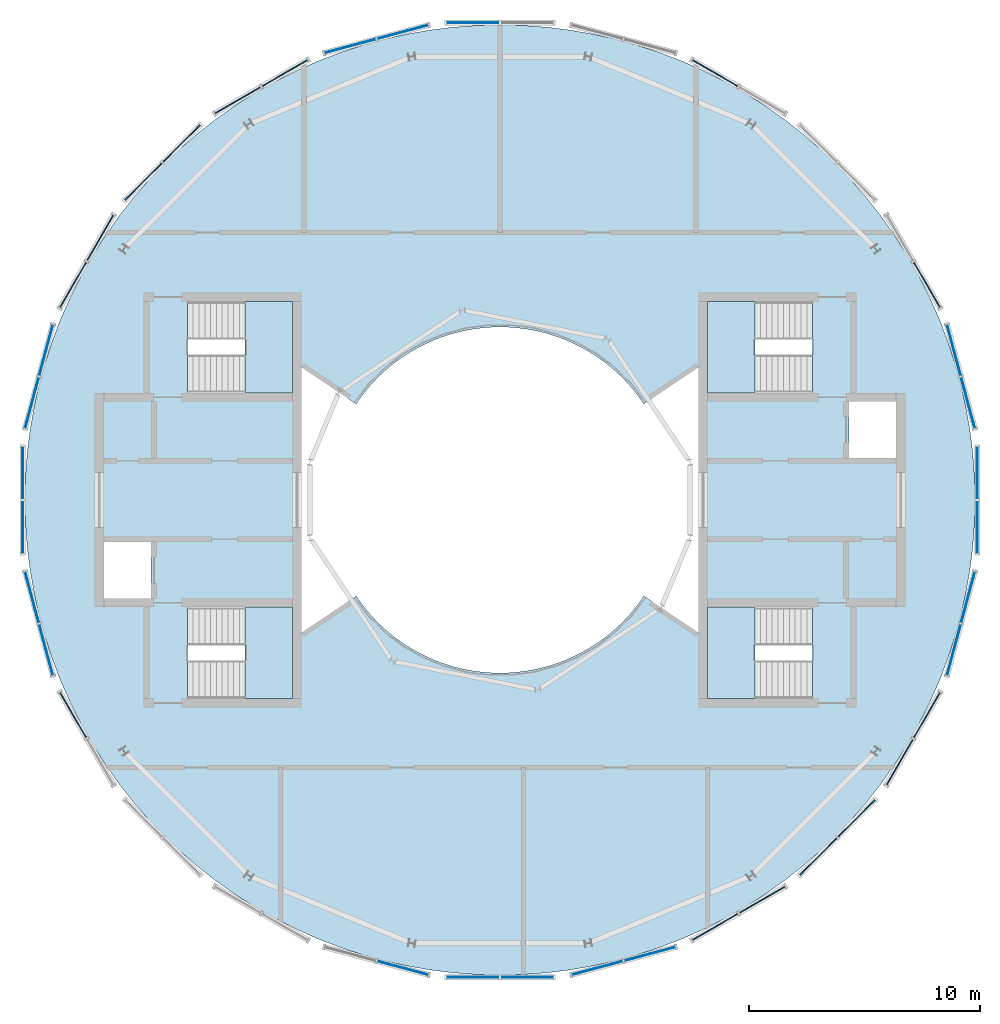
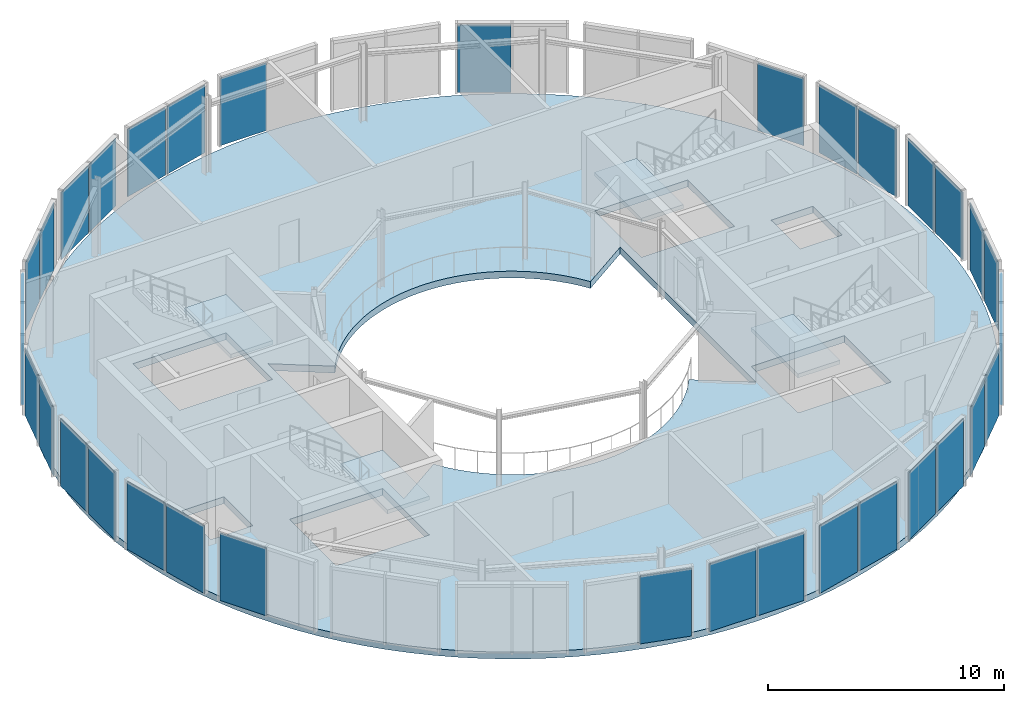
# One storey, part 7 of 12: 35 plates, 5 slabs, 24 elements without a shape of their own.
"""IFC4 building model written with IfcOpenShell, lengths in metres."""

from ifc_helpers import new_model, si_unit, direction, frame, origin, origin_2d, place, context, subcontext, project, spatial, polyline, rectangle, outline, extrude, material, layer, layer_set, type_object, element, aggregate, save


model = new_model("IFC4")

# Units and contexts
model_context = context("Model", 3, precision=1e-05, world=origin(), true_north=direction((0.0, 1.0)))
body_context = subcontext(model_context, "Body", "Model", "MODEL_VIEW")
ifc_project = project(units=[si_unit("LENGTHUNIT", "METRE"), si_unit("AREAUNIT", "SQUARE_METRE"), si_unit("VOLUMEUNIT", "CUBIC_METRE"), si_unit("PLANEANGLEUNIT", "RADIAN"), si_unit("MASSUNIT", "GRAM", prefix="KILO")], contexts=[model_context])

# Site, building, storey
site_placement = place(None, origin())
site = spatial("IfcSite", under=ifc_project, at=site_placement, CompositionType="ELEMENT")
building_placement = place(site_placement, origin())
building = spatial("IfcBuilding", under=site, at=building_placement, Name="Maasbend Ring Residences", CompositionType="ELEMENT")
storey_placement = place(building_placement, frame((0.0, 0.0, 261.5)))
storey = spatial("IfcBuildingStorey", under=building, at=storey_placement, Name="L75", CompositionType="ELEMENT", Elevation=261.5)

# Stair, slab
ifc_material_1 = material(Name="Concrete C40/50", Category="concrete")
stair_type = type_object("IfcStairType", Name="CORE STAIR 22 RISERS", PredefinedType="HALF_TURN_STAIR", material=ifc_material_1)
stair_1_placement = place(storey_placement, origin())
stair_1 = element("IfcStair", 1, at=stair_1_placement, inside=storey, type_object=stair_type, Name="L75 Exit stair ST-E1", PredefinedType="HALF_TURN_STAIR")
ifc_material_2 = material(Name="Concrete C40/50", Category="concrete")
ifc_layer_1 = layer(ifc_material_2, 0.199951171875)
ifc_layer_set_1 = layer_set([ifc_layer_1], Name="Concrete C40/50")
slab_type_1 = type_object("IfcSlabType", Name="CORE STAIR LANDING 200", PredefinedType="LANDING", material=ifc_layer_set_1)
slab_1_placement = place(storey_placement, frame((0.0, 0.0, 1.800048828125)))
slab_1 = element("IfcSlab", 2, at=slab_1_placement, type_object=slab_type_1, Name="ST-E1 landing 1", PredefinedType="LANDING", context=body_context, shape_type="SweptSolid", body=[
    extrude(outline(polyline([(11.050048828125, 8.60009765625), (9.0, 8.60009765625), (9.0, 4.64990234375), (11.050048828125, 4.64990234375), (11.050048828125, 8.60009765625)])), origin(), (0.0, 0.0, 1.0), 0.199951171875),
])
aggregate(stair_1, [slab_1])

stair_2_placement = place(storey_placement, origin())
stair_2 = element("IfcStair", 3, at=stair_2_placement, inside=storey, type_object=stair_type, Name="L75 Exit stair ST-E2", PredefinedType="HALF_TURN_STAIR")
slab_2_placement = place(storey_placement, frame((0.0, 0.0, 1.800048828125)))
slab_2 = element("IfcSlab", 4, at=slab_2_placement, type_object=slab_type_1, Name="ST-E2 landing 1", PredefinedType="LANDING", context=body_context, shape_type="SweptSolid", body=[
    extrude(outline(polyline([(11.050048828125, -4.64990234375), (9.0, -4.64990234375), (9.0, -8.60009765625), (11.050048828125, -8.60009765625), (11.050048828125, -4.64990234375)])), origin(), (0.0, 0.0, 1.0), 0.199951171875),
])
aggregate(stair_2, [slab_2])

stair_3_placement = place(storey_placement, origin())
stair_3 = element("IfcStair", 5, at=stair_3_placement, inside=storey, type_object=stair_type, Name="L75 Exit stair ST-W1", PredefinedType="HALF_TURN_STAIR")
slab_3_placement = place(storey_placement, frame((0.0, 0.0, 1.800048828125)))
slab_3 = element("IfcSlab", 6, at=slab_3_placement, type_object=slab_type_1, Name="ST-W1 landing 1", PredefinedType="LANDING", context=body_context, shape_type="SweptSolid", body=[
    extrude(outline(polyline([(-11.050048828125, -8.60009765625), (-9.0, -8.60009765625), (-9.0, -4.64990234375), (-11.050048828125, -4.64990234375), (-11.050048828125, -8.60009765625)])), origin(), (0.0, 0.0, 1.0), 0.199951171875),
])
aggregate(stair_3, [slab_3])

stair_4_placement = place(storey_placement, origin())
stair_4 = element("IfcStair", 7, at=stair_4_placement, inside=storey, type_object=stair_type, Name="L75 Exit stair ST-W2", PredefinedType="HALF_TURN_STAIR")
slab_4_placement = place(storey_placement, frame((0.0, 0.0, 1.800048828125)))
slab_4 = element("IfcSlab", 8, at=slab_4_placement, type_object=slab_type_1, Name="ST-W2 landing 1", PredefinedType="LANDING", context=body_context, shape_type="SweptSolid", body=[
    extrude(outline(polyline([(-11.050048828125, 4.64990234375), (-9.0, 4.64990234375), (-9.0, 8.60009765625), (-11.050048828125, 8.60009765625), (-11.050048828125, 4.64990234375)])), origin(), (0.0, 0.0, 1.0), 0.199951171875),
])
aggregate(stair_4, [slab_4])

# Curtain wall, plates
ifc_material_3 = material(Name="Aluminium and clear glass", Category="aluminium")
ifc_layer_2 = layer(ifc_material_3, 0.239990234375)
ifc_layer_set_2 = layer_set([ifc_layer_2], Name="CW-CN")
curtain_wall_type = type_object("IfcCurtainWallType", Name="CW-CN", PredefinedType="NOTDEFINED", material=ifc_layer_set_2)
curtain_wall_1_placement = place(storey_placement, origin())
curtain_wall_1 = element("IfcCurtainWall", 9, at=curtain_wall_1_placement, inside=storey, type_object=curtain_wall_type, Name="Crown drum glazing 01 L75", PredefinedType="NOTDEFINED")
ifc_material_4 = material(Name="Glass clear laminated", Category="glass")
ifc_layer_3 = layer(ifc_material_4, 0.0400390625)
ifc_layer_set_3 = layer_set([ifc_layer_3], Name="CWP-CN")
plate_type = type_object("IfcPlateType", Name="CWP-CN", PredefinedType="CURTAIN_PANEL", material=ifc_layer_set_3)
plate_1_placement = place(storey_placement, frame((20.291748046875, 4.216064453125, 0.0), z_axis=(0.0, 0.0, 1.0), x_axis=(-0.258819045103, 0.965925826289, 0.0)))
plate_1 = element("IfcPlate", 10, at=plate_1_placement, type_object=plate_type, Name="Glass panel crown cone", PredefinedType="CURTAIN_PANEL", context=body_context, shape_type="SweptSolid", body=[
    extrude(rectangle(XDim=2.26904296875, YDim=0.0400390625, at=origin_2d()), origin(), (0.0, 0.0, 1.0), 3.489990234375),
])
plate_2_placement = place(storey_placement, frame((19.68115234375, 6.49462890625, 0.0), z_axis=(0.0, 0.0, 1.0), x_axis=(-0.258819045103, 0.965925826289, 0.0)))
plate_2 = element("IfcPlate", 11, at=plate_2_placement, type_object=plate_type, Name="Glass panel crown cone", PredefinedType="CURTAIN_PANEL", context=body_context, shape_type="SweptSolid", body=[
    extrude(rectangle(XDim=2.26904296875, YDim=0.0400390625, at=origin_2d()), origin(), (0.0, 0.0, 1.0), 3.489990234375),
])
aggregate(curtain_wall_1, [plate_1, plate_2])

# Curtain wall, plate
curtain_wall_2_placement = place(storey_placement, origin())
curtain_wall_2 = element("IfcCurtainWall", 12, at=curtain_wall_2_placement, inside=storey, type_object=curtain_wall_type, Name="Crown drum glazing 02 L75", PredefinedType="NOTDEFINED")
plate_3_placement = place(storey_placement, frame((18.509033203125, 9.32421875, 0.0), z_axis=(0.0, 0.0, 1.0), x_axis=(-0.5, 0.866025403784, 0.0)))
plate_3 = element("IfcPlate", 13, at=plate_3_placement, type_object=plate_type, Name="Glass panel crown cone", PredefinedType="CURTAIN_PANEL", context=body_context, shape_type="SweptSolid", body=[
    extrude(rectangle(XDim=2.26904296875, YDim=0.0400390625, at=origin_2d()), origin(), (0.0, 0.0, 1.0), 3.489990234375),
])
aggregate(curtain_wall_2, [plate_3])

curtain_wall_3_placement = place(storey_placement, origin())
curtain_wall_3 = element("IfcCurtainWall", 14, at=curtain_wall_3_placement, inside=storey, type_object=curtain_wall_type, Name="Crown drum glazing 04 L75", PredefinedType="NOTDEFINED")
plate_4_placement = place(storey_placement, frame((9.32421875, 18.509033203125, 0.0), z_axis=(0.0, 0.0, 1.0), x_axis=(-0.866025403784, 0.5, 0.0)))
plate_4 = element("IfcPlate", 15, at=plate_4_placement, type_object=plate_type, Name="Glass panel crown cone", PredefinedType="CURTAIN_PANEL", context=body_context, shape_type="SweptSolid", body=[
    extrude(rectangle(XDim=2.26904296875, YDim=0.0400390625, at=origin_2d()), origin(), (0.0, 0.0, 1.0), 3.489990234375),
])
aggregate(curtain_wall_3, [plate_4])

curtain_wall_4_placement = place(storey_placement, origin())
curtain_wall_4 = element("IfcCurtainWall", 16, at=curtain_wall_4_placement, inside=storey, type_object=curtain_wall_type, Name="Crown drum glazing 06 L75", PredefinedType="NOTDEFINED")
plate_5_placement = place(storey_placement, frame((-1.179443359375, 20.69140625, 0.0), z_axis=(0.0, 0.0, 1.0), x_axis=(-1.0, 0.0, 0.0)))
plate_5 = element("IfcPlate", 17, at=plate_5_placement, type_object=plate_type, Name="Glass panel crown cone", PredefinedType="CURTAIN_PANEL", context=body_context, shape_type="SweptSolid", body=[
    extrude(rectangle(XDim=2.26904296875, YDim=0.0400390625, at=origin_2d()), origin(), (0.0, 0.0, 1.0), 3.489990234375),
])
aggregate(curtain_wall_4, [plate_5])

# Curtain wall, plates
curtain_wall_5_placement = place(storey_placement, origin())
curtain_wall_5 = element("IfcCurtainWall", 18, at=curtain_wall_5_placement, inside=storey, type_object=curtain_wall_type, Name="Crown drum glazing 07 L75", PredefinedType="NOTDEFINED")
plate_6_placement = place(storey_placement, frame((-4.216064453125, 20.291748046875, 0.0), z_axis=(0.0, 0.0, 1.0), x_axis=(-0.965925826289, -0.258819045103, 0.0)))
plate_6 = element("IfcPlate", 19, at=plate_6_placement, type_object=plate_type, Name="Glass panel crown cone", PredefinedType="CURTAIN_PANEL", context=body_context, shape_type="SweptSolid", body=[
    extrude(rectangle(XDim=2.26904296875, YDim=0.0400390625, at=origin_2d()), origin(), (0.0, 0.0, 1.0), 3.489990234375),
])
plate_7_placement = place(storey_placement, frame((-6.49462890625, 19.68115234375, 0.0), z_axis=(0.0, 0.0, 1.0), x_axis=(-0.965925826289, -0.258819045103, 0.0)))
plate_7 = element("IfcPlate", 20, at=plate_7_placement, type_object=plate_type, Name="Glass panel crown cone", PredefinedType="CURTAIN_PANEL", context=body_context, shape_type="SweptSolid", body=[
    extrude(rectangle(XDim=2.26904296875, YDim=0.0400390625, at=origin_2d()), origin(), (0.0, 0.0, 1.0), 3.489990234375),
])
aggregate(curtain_wall_5, [plate_6, plate_7])

curtain_wall_6_placement = place(storey_placement, origin())
curtain_wall_6 = element("IfcCurtainWall", 21, at=curtain_wall_6_placement, inside=storey, type_object=curtain_wall_type, Name="Crown drum glazing 08 L75", PredefinedType="NOTDEFINED")
plate_8_placement = place(storey_placement, frame((-9.32421875, 18.509033203125, 0.0), z_axis=(0.0, 0.0, 1.0), x_axis=(-0.866025403784, -0.5, 0.0)))
plate_8 = element("IfcPlate", 22, at=plate_8_placement, type_object=plate_type, Name="Glass panel crown cone", PredefinedType="CURTAIN_PANEL", context=body_context, shape_type="SweptSolid", body=[
    extrude(rectangle(XDim=2.26904296875, YDim=0.0400390625, at=origin_2d()), origin(), (0.0, 0.0, 1.0), 3.489990234375),
])
plate_9_placement = place(storey_placement, frame((-11.3671875, 17.32958984375, 0.0), z_axis=(0.0, 0.0, 1.0), x_axis=(-0.866025403784, -0.5, 0.0)))
plate_9 = element("IfcPlate", 23, at=plate_9_placement, type_object=plate_type, Name="Glass panel crown cone", PredefinedType="CURTAIN_PANEL", context=body_context, shape_type="SweptSolid", body=[
    extrude(rectangle(XDim=2.26904296875, YDim=0.0400390625, at=origin_2d()), origin(), (0.0, 0.0, 1.0), 3.489990234375),
])
aggregate(curtain_wall_6, [plate_8, plate_9])

curtain_wall_7_placement = place(storey_placement, origin())
curtain_wall_7 = element("IfcCurtainWall", 24, at=curtain_wall_7_placement, inside=storey, type_object=curtain_wall_type, Name="Crown drum glazing 09 L75", PredefinedType="NOTDEFINED")
plate_10_placement = place(storey_placement, frame((-13.797119140625, 15.465087890625, 0.0), z_axis=(0.0, 0.0, 1.0), x_axis=(-0.707106781187, -0.707106781187, 0.0)))
plate_10 = element("IfcPlate", 25, at=plate_10_placement, type_object=plate_type, Name="Glass panel crown cone", PredefinedType="CURTAIN_PANEL", context=body_context, shape_type="SweptSolid", body=[
    extrude(rectangle(XDim=2.26904296875, YDim=0.0400390625, at=origin_2d()), origin(), (0.0, 0.0, 1.0), 3.489990234375),
])
plate_11_placement = place(storey_placement, frame((-15.465087890625, 13.797119140625, 0.0), z_axis=(0.0, 0.0, 1.0), x_axis=(-0.707106781187, -0.707106781187, 0.0)))
plate_11 = element("IfcPlate", 26, at=plate_11_placement, type_object=plate_type, Name="Glass panel crown cone", PredefinedType="CURTAIN_PANEL", context=body_context, shape_type="SweptSolid", body=[
    extrude(rectangle(XDim=2.26904296875, YDim=0.0400390625, at=origin_2d()), origin(), (0.0, 0.0, 1.0), 3.489990234375),
])
aggregate(curtain_wall_7, [plate_10, plate_11])

curtain_wall_8_placement = place(storey_placement, origin())
curtain_wall_8 = element("IfcCurtainWall", 27, at=curtain_wall_8_placement, inside=storey, type_object=curtain_wall_type, Name="Crown drum glazing 10 L75", PredefinedType="NOTDEFINED")
plate_12_placement = place(storey_placement, frame((-17.32958984375, 11.3671875, 0.0), z_axis=(0.0, 0.0, 1.0), x_axis=(-0.5, -0.866025403784, 0.0)))
plate_12 = element("IfcPlate", 28, at=plate_12_placement, type_object=plate_type, Name="Glass panel crown cone", PredefinedType="CURTAIN_PANEL", context=body_context, shape_type="SweptSolid", body=[
    extrude(rectangle(XDim=2.26904296875, YDim=0.0400390625, at=origin_2d()), origin(), (0.0, 0.0, 1.0), 3.489990234375),
])
plate_13_placement = place(storey_placement, frame((-18.509033203125, 9.32421875, 0.0), z_axis=(0.0, 0.0, 1.0), x_axis=(-0.5, -0.866025403784, 0.0)))
plate_13 = element("IfcPlate", 29, at=plate_13_placement, type_object=plate_type, Name="Glass panel crown cone", PredefinedType="CURTAIN_PANEL", context=body_context, shape_type="SweptSolid", body=[
    extrude(rectangle(XDim=2.26904296875, YDim=0.0400390625, at=origin_2d()), origin(), (0.0, 0.0, 1.0), 3.489990234375),
])
aggregate(curtain_wall_8, [plate_12, plate_13])

curtain_wall_9_placement = place(storey_placement, origin())
curtain_wall_9 = element("IfcCurtainWall", 30, at=curtain_wall_9_placement, inside=storey, type_object=curtain_wall_type, Name="Crown drum glazing 11 L75", PredefinedType="NOTDEFINED")
plate_14_placement = place(storey_placement, frame((-19.68115234375, 6.49462890625, 0.0), z_axis=(0.0, 0.0, 1.0), x_axis=(-0.258819045103, -0.965925826289, 0.0)))
plate_14 = element("IfcPlate", 31, at=plate_14_placement, type_object=plate_type, Name="Glass panel crown cone", PredefinedType="CURTAIN_PANEL", context=body_context, shape_type="SweptSolid", body=[
    extrude(rectangle(XDim=2.26904296875, YDim=0.0400390625, at=origin_2d()), origin(), (0.0, 0.0, 1.0), 3.489990234375),
])
plate_15_placement = place(storey_placement, frame((-20.291748046875, 4.216064453125, 0.0), z_axis=(0.0, 0.0, 1.0), x_axis=(-0.258819045103, -0.965925826289, 0.0)))
plate_15 = element("IfcPlate", 32, at=plate_15_placement, type_object=plate_type, Name="Glass panel crown cone", PredefinedType="CURTAIN_PANEL", context=body_context, shape_type="SweptSolid", body=[
    extrude(rectangle(XDim=2.26904296875, YDim=0.0400390625, at=origin_2d()), origin(), (0.0, 0.0, 1.0), 3.489990234375),
])
aggregate(curtain_wall_9, [plate_14, plate_15])

curtain_wall_10_placement = place(storey_placement, origin())
curtain_wall_10 = element("IfcCurtainWall", 33, at=curtain_wall_10_placement, inside=storey, type_object=curtain_wall_type, Name="Crown drum glazing 12 L75", PredefinedType="NOTDEFINED")
plate_16_placement = place(storey_placement, frame((-20.69140625, 1.179443359375, 0.0), z_axis=(0.0, 0.0, 1.0), x_axis=(0.0, -1.0, 0.0)))
plate_16 = element("IfcPlate", 34, at=plate_16_placement, type_object=plate_type, Name="Glass panel crown cone", PredefinedType="CURTAIN_PANEL", context=body_context, shape_type="SweptSolid", body=[
    extrude(rectangle(XDim=2.26904296875, YDim=0.0400390625, at=origin_2d()), origin(), (0.0, 0.0, 1.0), 3.489990234375),
])
plate_17_placement = place(storey_placement, frame((-20.69140625, -1.179443359375, 0.0), z_axis=(0.0, 0.0, 1.0), x_axis=(0.0, -1.0, 0.0)))
plate_17 = element("IfcPlate", 35, at=plate_17_placement, type_object=plate_type, Name="Glass panel crown cone", PredefinedType="CURTAIN_PANEL", context=body_context, shape_type="SweptSolid", body=[
    extrude(rectangle(XDim=2.26904296875, YDim=0.0400390625, at=origin_2d()), origin(), (0.0, 0.0, 1.0), 3.489990234375),
])
aggregate(curtain_wall_10, [plate_16, plate_17])

curtain_wall_11_placement = place(storey_placement, origin())
curtain_wall_11 = element("IfcCurtainWall", 36, at=curtain_wall_11_placement, inside=storey, type_object=curtain_wall_type, Name="Crown drum glazing 13 L75", PredefinedType="NOTDEFINED")
plate_18_placement = place(storey_placement, frame((-20.291748046875, -4.216064453125, 0.0), z_axis=(0.0, 0.0, 1.0), x_axis=(0.258819045103, -0.965925826289, 0.0)))
plate_18 = element("IfcPlate", 37, at=plate_18_placement, type_object=plate_type, Name="Glass panel crown cone", PredefinedType="CURTAIN_PANEL", context=body_context, shape_type="SweptSolid", body=[
    extrude(rectangle(XDim=2.26904296875, YDim=0.0400390625, at=origin_2d()), origin(), (0.0, 0.0, 1.0), 3.489990234375),
])
plate_19_placement = place(storey_placement, frame((-19.68115234375, -6.49462890625, 0.0), z_axis=(0.0, 0.0, 1.0), x_axis=(0.258819045103, -0.965925826289, 0.0)))
plate_19 = element("IfcPlate", 38, at=plate_19_placement, type_object=plate_type, Name="Glass panel crown cone", PredefinedType="CURTAIN_PANEL", context=body_context, shape_type="SweptSolid", body=[
    extrude(rectangle(XDim=2.26904296875, YDim=0.0400390625, at=origin_2d()), origin(), (0.0, 0.0, 1.0), 3.489990234375),
])
aggregate(curtain_wall_11, [plate_18, plate_19])

# Curtain wall, plate
curtain_wall_12_placement = place(storey_placement, origin())
curtain_wall_12 = element("IfcCurtainWall", 39, at=curtain_wall_12_placement, inside=storey, type_object=curtain_wall_type, Name="Crown drum glazing 14 L75", PredefinedType="NOTDEFINED")
plate_20_placement = place(storey_placement, frame((-18.509033203125, -9.32421875, 0.0), z_axis=(0.0, 0.0, 1.0), x_axis=(0.5, -0.866025403784, 0.0)))
plate_20 = element("IfcPlate", 40, at=plate_20_placement, type_object=plate_type, Name="Glass panel crown cone", PredefinedType="CURTAIN_PANEL", context=body_context, shape_type="SweptSolid", body=[
    extrude(rectangle(XDim=2.26904296875, YDim=0.0400390625, at=origin_2d()), origin(), (0.0, 0.0, 1.0), 3.489990234375),
])
aggregate(curtain_wall_12, [plate_20])

curtain_wall_13_placement = place(storey_placement, origin())
curtain_wall_13 = element("IfcCurtainWall", 41, at=curtain_wall_13_placement, inside=storey, type_object=curtain_wall_type, Name="Crown drum glazing 17 L75", PredefinedType="NOTDEFINED")
plate_21_placement = place(storey_placement, frame((-4.216064453125, -20.291748046875, 0.0), z_axis=(0.0, 0.0, 1.0), x_axis=(0.965925826289, -0.258819045103, 0.0)))
plate_21 = element("IfcPlate", 42, at=plate_21_placement, type_object=plate_type, Name="Glass panel crown cone", PredefinedType="CURTAIN_PANEL", context=body_context, shape_type="SweptSolid", body=[
    extrude(rectangle(XDim=2.26904296875, YDim=0.0400390625, at=origin_2d()), origin(), (0.0, 0.0, 1.0), 3.489990234375),
])
aggregate(curtain_wall_13, [plate_21])

# Curtain wall, plates
curtain_wall_14_placement = place(storey_placement, origin())
curtain_wall_14 = element("IfcCurtainWall", 43, at=curtain_wall_14_placement, inside=storey, type_object=curtain_wall_type, Name="Crown drum glazing 18 L75", PredefinedType="NOTDEFINED")
plate_22_placement = place(storey_placement, frame((-1.179443359375, -20.69140625, 0.0), z_axis=(0.0, 0.0, 1.0), x_axis=(1.0, 0.0, 0.0)))
plate_22 = element("IfcPlate", 44, at=plate_22_placement, type_object=plate_type, Name="Glass panel crown cone", PredefinedType="CURTAIN_PANEL", context=body_context, shape_type="SweptSolid", body=[
    extrude(rectangle(XDim=2.26904296875, YDim=0.0400390625, at=origin_2d()), origin(), (0.0, 0.0, 1.0), 3.489990234375),
])
plate_23_placement = place(storey_placement, frame((1.179443359375, -20.69140625, 0.0), z_axis=(0.0, 0.0, 1.0), x_axis=(1.0, 0.0, 0.0)))
plate_23 = element("IfcPlate", 45, at=plate_23_placement, type_object=plate_type, Name="Glass panel crown cone", PredefinedType="CURTAIN_PANEL", context=body_context, shape_type="SweptSolid", body=[
    extrude(rectangle(XDim=2.26904296875, YDim=0.0400390625, at=origin_2d()), origin(), (0.0, 0.0, 1.0), 3.489990234375),
])
aggregate(curtain_wall_14, [plate_22, plate_23])

curtain_wall_15_placement = place(storey_placement, origin())
curtain_wall_15 = element("IfcCurtainWall", 46, at=curtain_wall_15_placement, inside=storey, type_object=curtain_wall_type, Name="Crown drum glazing 19 L75", PredefinedType="NOTDEFINED")
plate_24_placement = place(storey_placement, frame((4.216064453125, -20.291748046875, 0.0), z_axis=(0.0, 0.0, 1.0), x_axis=(0.965925826289, 0.258819045103, 0.0)))
plate_24 = element("IfcPlate", 47, at=plate_24_placement, type_object=plate_type, Name="Glass panel crown cone", PredefinedType="CURTAIN_PANEL", context=body_context, shape_type="SweptSolid", body=[
    extrude(rectangle(XDim=2.26904296875, YDim=0.0400390625, at=origin_2d()), origin(), (0.0, 0.0, 1.0), 3.489990234375),
])
plate_25_placement = place(storey_placement, frame((6.49462890625, -19.68115234375, 0.0), z_axis=(0.0, 0.0, 1.0), x_axis=(0.965925826289, 0.258819045103, 0.0)))
plate_25 = element("IfcPlate", 48, at=plate_25_placement, type_object=plate_type, Name="Glass panel crown cone", PredefinedType="CURTAIN_PANEL", context=body_context, shape_type="SweptSolid", body=[
    extrude(rectangle(XDim=2.26904296875, YDim=0.0400390625, at=origin_2d()), origin(), (0.0, 0.0, 1.0), 3.489990234375),
])
aggregate(curtain_wall_15, [plate_24, plate_25])

curtain_wall_16_placement = place(storey_placement, origin())
curtain_wall_16 = element("IfcCurtainWall", 49, at=curtain_wall_16_placement, inside=storey, type_object=curtain_wall_type, Name="Crown drum glazing 20 L75", PredefinedType="NOTDEFINED")
plate_26_placement = place(storey_placement, frame((9.32421875, -18.509033203125, 0.0), z_axis=(0.0, 0.0, 1.0), x_axis=(0.866025403784, 0.5, 0.0)))
plate_26 = element("IfcPlate", 50, at=plate_26_placement, type_object=plate_type, Name="Glass panel crown cone", PredefinedType="CURTAIN_PANEL", context=body_context, shape_type="SweptSolid", body=[
    extrude(rectangle(XDim=2.26904296875, YDim=0.0400390625, at=origin_2d()), origin(), (0.0, 0.0, 1.0), 3.489990234375),
])
plate_27_placement = place(storey_placement, frame((11.3671875, -17.32958984375, 0.0), z_axis=(0.0, 0.0, 1.0), x_axis=(0.866025403784, 0.5, 0.0)))
plate_27 = element("IfcPlate", 51, at=plate_27_placement, type_object=plate_type, Name="Glass panel crown cone", PredefinedType="CURTAIN_PANEL", context=body_context, shape_type="SweptSolid", body=[
    extrude(rectangle(XDim=2.26904296875, YDim=0.0400390625, at=origin_2d()), origin(), (0.0, 0.0, 1.0), 3.489990234375),
])
aggregate(curtain_wall_16, [plate_26, plate_27])

curtain_wall_17_placement = place(storey_placement, origin())
curtain_wall_17 = element("IfcCurtainWall", 52, at=curtain_wall_17_placement, inside=storey, type_object=curtain_wall_type, Name="Crown drum glazing 21 L75", PredefinedType="NOTDEFINED")
plate_28_placement = place(storey_placement, frame((13.797119140625, -15.465087890625, 0.0), z_axis=(0.0, 0.0, 1.0), x_axis=(0.707106781187, 0.707106781187, 0.0)))
plate_28 = element("IfcPlate", 53, at=plate_28_placement, type_object=plate_type, Name="Glass panel crown cone", PredefinedType="CURTAIN_PANEL", context=body_context, shape_type="SweptSolid", body=[
    extrude(rectangle(XDim=2.26904296875, YDim=0.0400390625, at=origin_2d()), origin(), (0.0, 0.0, 1.0), 3.489990234375),
])
plate_29_placement = place(storey_placement, frame((15.465087890625, -13.797119140625, 0.0), z_axis=(0.0, 0.0, 1.0), x_axis=(0.707106781187, 0.707106781187, 0.0)))
plate_29 = element("IfcPlate", 54, at=plate_29_placement, type_object=plate_type, Name="Glass panel crown cone", PredefinedType="CURTAIN_PANEL", context=body_context, shape_type="SweptSolid", body=[
    extrude(rectangle(XDim=2.26904296875, YDim=0.0400390625, at=origin_2d()), origin(), (0.0, 0.0, 1.0), 3.489990234375),
])
aggregate(curtain_wall_17, [plate_28, plate_29])

curtain_wall_18_placement = place(storey_placement, origin())
curtain_wall_18 = element("IfcCurtainWall", 55, at=curtain_wall_18_placement, inside=storey, type_object=curtain_wall_type, Name="Crown drum glazing 22 L75", PredefinedType="NOTDEFINED")
plate_30_placement = place(storey_placement, frame((17.32958984375, -11.3671875, 0.0), z_axis=(0.0, 0.0, 1.0), x_axis=(0.5, 0.866025403784, 0.0)))
plate_30 = element("IfcPlate", 56, at=plate_30_placement, type_object=plate_type, Name="Glass panel crown cone", PredefinedType="CURTAIN_PANEL", context=body_context, shape_type="SweptSolid", body=[
    extrude(rectangle(XDim=2.26904296875, YDim=0.0400390625, at=origin_2d()), origin(), (0.0, 0.0, 1.0), 3.489990234375),
])
plate_31_placement = place(storey_placement, frame((18.509033203125, -9.32421875, 0.0), z_axis=(0.0, 0.0, 1.0), x_axis=(0.5, 0.866025403784, 0.0)))
plate_31 = element("IfcPlate", 57, at=plate_31_placement, type_object=plate_type, Name="Glass panel crown cone", PredefinedType="CURTAIN_PANEL", context=body_context, shape_type="SweptSolid", body=[
    extrude(rectangle(XDim=2.26904296875, YDim=0.0400390625, at=origin_2d()), origin(), (0.0, 0.0, 1.0), 3.489990234375),
])
aggregate(curtain_wall_18, [plate_30, plate_31])

curtain_wall_19_placement = place(storey_placement, origin())
curtain_wall_19 = element("IfcCurtainWall", 58, at=curtain_wall_19_placement, inside=storey, type_object=curtain_wall_type, Name="Crown drum glazing 23 L75", PredefinedType="NOTDEFINED")
plate_32_placement = place(storey_placement, frame((19.68115234375, -6.49462890625, 0.0), z_axis=(0.0, 0.0, 1.0), x_axis=(0.258819045103, 0.965925826289, 0.0)))
plate_32 = element("IfcPlate", 59, at=plate_32_placement, type_object=plate_type, Name="Glass panel crown cone", PredefinedType="CURTAIN_PANEL", context=body_context, shape_type="SweptSolid", body=[
    extrude(rectangle(XDim=2.26904296875, YDim=0.0400390625, at=origin_2d()), origin(), (0.0, 0.0, 1.0), 3.489990234375),
])
plate_33_placement = place(storey_placement, frame((20.291748046875, -4.216064453125, 0.0), z_axis=(0.0, 0.0, 1.0), x_axis=(0.258819045103, 0.965925826289, 0.0)))
plate_33 = element("IfcPlate", 60, at=plate_33_placement, type_object=plate_type, Name="Glass panel crown cone", PredefinedType="CURTAIN_PANEL", context=body_context, shape_type="SweptSolid", body=[
    extrude(rectangle(XDim=2.26904296875, YDim=0.0400390625, at=origin_2d()), origin(), (0.0, 0.0, 1.0), 3.489990234375),
])
aggregate(curtain_wall_19, [plate_32, plate_33])

curtain_wall_20_placement = place(storey_placement, origin())
curtain_wall_20 = element("IfcCurtainWall", 61, at=curtain_wall_20_placement, inside=storey, type_object=curtain_wall_type, Name="Crown drum glazing 24 L75", PredefinedType="NOTDEFINED")
plate_34_placement = place(storey_placement, frame((20.69140625, -1.179443359375, 0.0), z_axis=(0.0, 0.0, 1.0), x_axis=(0.0, 1.0, 0.0)))
plate_34 = element("IfcPlate", 62, at=plate_34_placement, type_object=plate_type, Name="Glass panel crown cone", PredefinedType="CURTAIN_PANEL", context=body_context, shape_type="SweptSolid", body=[
    extrude(rectangle(XDim=2.26904296875, YDim=0.0400390625, at=origin_2d()), origin(), (0.0, 0.0, 1.0), 3.489990234375),
])
plate_35_placement = place(storey_placement, frame((20.69140625, 1.179443359375, 0.0), z_axis=(0.0, 0.0, 1.0), x_axis=(0.0, 1.0, 0.0)))
plate_35 = element("IfcPlate", 63, at=plate_35_placement, type_object=plate_type, Name="Glass panel crown cone", PredefinedType="CURTAIN_PANEL", context=body_context, shape_type="SweptSolid", body=[
    extrude(rectangle(XDim=2.26904296875, YDim=0.0400390625, at=origin_2d()), origin(), (0.0, 0.0, 1.0), 3.489990234375),
])
aggregate(curtain_wall_20, [plate_34, plate_35])

# Slab
ifc_material_5 = material(Name="Concrete C40/50", Category="concrete")
ifc_layer_4 = layer(ifc_material_5, 0.35009765625)
ifc_layer_set_4 = layer_set([ifc_layer_4], Name="Concrete C40/50")
slab_type_2 = type_object("IfcSlabType", Name="Post-tensioned flat plate 350", PredefinedType="FLOOR", material=ifc_layer_set_4)
slab_5_placement = place(storey_placement, frame((0.0, 0.0, -0.35009765625)))
element("IfcSlab", 64, at=slab_5_placement, inside=storey, type_object=slab_type_2, Name="Floor slab L75", PredefinedType="FLOOR", context=body_context, shape_type="SweptSolid", body=[
    extrude(outline(polyline([(19.982666015625, -5.00537109375), (20.2041015625, -4.018798828125), (20.376953125, -3.022705078125), (20.500732421875, -2.019287109375), (20.5751953125, -1.0107421875), (20.60009765625, 0.0), (20.5751953125, 1.0107421875), (20.500732421875, 2.019287109375), (20.376953125, 3.022705078125), (20.2041015625, 4.018798828125), (19.982666015625, 5.00537109375), (19.712890625, 5.97998046875), (19.395751953125, 6.93994140625), (19.031982421875, 7.88330078125), (18.622314453125, 8.8076171875), (18.16748046875, 9.710693359375), (17.669189453125, 10.590576171875), (17.12841796875, 11.444580078125), (16.546142578125, 12.271484375), (15.924072265625, 13.068603515625), (15.263671875, 13.833984375), (14.56640625, 14.56640625), (13.833984375, 15.263671875), (13.068603515625, 15.924072265625), (12.271484375, 16.546142578125), (11.444580078125, 17.12841796875), (10.590576171875, 17.669189453125), (9.710693359375, 18.16748046875), (8.8076171875, 18.622314453125), (7.88330078125, 19.031982421875), (6.93994140625, 19.395751953125), (5.97998046875, 19.712890625), (5.00537109375, 19.982666015625), (4.018798828125, 20.2041015625), (3.022705078125, 20.376953125), (2.019287109375, 20.500732421875), (1.0107421875, 20.5751953125), (0.0, 20.60009765625), (-1.0107421875, 20.5751953125), (-2.019287109375, 20.500732421875), (-3.022705078125, 20.376953125), (-4.018798828125, 20.2041015625), (-5.00537109375, 19.982666015625), (-5.97998046875, 19.712890625), (-6.93994140625, 19.395751953125), (-7.88330078125, 19.031982421875), (-8.8076171875, 18.622314453125), (-9.710693359375, 18.16748046875), (-10.590576171875, 17.669189453125), (-11.444580078125, 17.12841796875), (-12.271484375, 16.546142578125), (-13.068603515625, 15.924072265625), (-13.833984375, 15.263671875), (-14.56640625, 14.56640625), (-15.263671875, 13.833984375), (-15.924072265625, 13.068603515625), (-16.546142578125, 12.271484375), (-17.12841796875, 11.444580078125), (-17.669189453125, 10.590576171875), (-18.16748046875, 9.710693359375), (-18.622314453125, 8.8076171875), (-19.031982421875, 7.88330078125), (-19.395751953125, 6.93994140625), (-19.712890625, 5.97998046875), (-19.982666015625, 5.00537109375), (-20.2041015625, 4.018798828125), (-20.376953125, 3.022705078125), (-20.500732421875, 2.019287109375), (-20.5751953125, 1.0107421875), (-20.60009765625, 0.0), (-20.5751953125, -1.0107421875), (-20.500732421875, -2.019287109375), (-20.376953125, -3.022705078125), (-20.2041015625, -4.018798828125), (-19.982666015625, -5.00537109375), (-19.712890625, -5.97998046875), (-19.395751953125, -6.93994140625), (-19.031982421875, -7.88330078125), (-18.622314453125, -8.8076171875), (-18.16748046875, -9.710693359375), (-17.669189453125, -10.590576171875), (-17.12841796875, -11.444580078125), (-16.546142578125, -12.271484375), (-15.924072265625, -13.068603515625), (-15.263671875, -13.833984375), (-14.56640625, -14.56640625), (-13.833984375, -15.263671875), (-13.068603515625, -15.924072265625), (-12.271484375, -16.546142578125), (-11.444580078125, -17.12841796875), (-10.590576171875, -17.669189453125), (-9.710693359375, -18.16748046875), (-8.8076171875, -18.622314453125), (-7.88330078125, -19.031982421875), (-6.93994140625, -19.395751953125), (-5.97998046875, -19.712890625), (-5.00537109375, -19.982666015625), (-4.018798828125, -20.2041015625), (-3.022705078125, -20.376953125), (-2.019287109375, -20.500732421875), (-1.0107421875, -20.5751953125), (0.0, -20.60009765625), (1.0107421875, -20.5751953125), (2.019287109375, -20.500732421875), (3.022705078125, -20.376953125), (4.018798828125, -20.2041015625), (5.00537109375, -19.982666015625), (5.97998046875, -19.712890625), (6.93994140625, -19.395751953125), (7.88330078125, -19.031982421875), (8.8076171875, -18.622314453125), (9.710693359375, -18.16748046875), (10.590576171875, -17.669189453125), (11.444580078125, -17.12841796875), (12.271484375, -16.546142578125), (13.068603515625, -15.924072265625), (13.833984375, -15.263671875), (14.56640625, -14.56640625), (15.263671875, -13.833984375), (15.924072265625, -13.068603515625), (16.546142578125, -12.271484375), (17.12841796875, -11.444580078125), (17.669189453125, -10.590576171875), (18.16748046875, -9.710693359375), (18.622314453125, -8.8076171875), (19.031982421875, -7.88330078125), (19.395751953125, -6.93994140625), (19.712890625, -5.97998046875), (19.982666015625, -5.00537109375)]), holes=[polyline([(17.175048828125, 4.27490234375), (17.175048828125, 1.824951171875), (15.125, 1.824951171875), (15.125, 4.27490234375), (17.175048828125, 4.27490234375)]), polyline([(9.0, -4.64990234375), (13.550048828125, -4.64990234375), (13.550048828125, -8.60009765625), (9.0, -8.60009765625), (9.0, -4.64990234375)]), polyline([(9.0, 8.60009765625), (13.550048828125, 8.60009765625), (13.550048828125, 4.64990234375), (9.0, 4.64990234375), (9.0, 8.60009765625)]), polyline([(6.024169921875, 4.4677734375), (6.236083984375, 4.166748046875), (8.60009765625, 5.746337890625), (8.60009765625, -5.746337890625), (6.236083984375, -4.166748046875), (6.024169921875, -4.4677734375), (5.797607421875, -4.7578125), (5.55712890625, -5.03662109375), (5.30322265625, -5.30322265625), (5.03662109375, -5.55712890625), (4.7578125, -5.797607421875), (4.4677734375, -6.024169921875), (4.166748046875, -6.236083984375), (3.855712890625, -6.43310546875), (3.535400390625, -6.614501953125), (3.206787109375, -6.77978515625), (2.8701171875, -6.92919921875), (2.526611328125, -7.0615234375), (2.177001953125, -7.177001953125), (1.822509765625, -7.275146484375), (1.463134765625, -7.35595703125), (1.1005859375, -7.418701171875), (0.735107421875, -7.4638671875), (0.367919921875, -7.490966796875), (0.0, -7.5), (-0.367919921875, -7.490966796875), (-0.735107421875, -7.4638671875), (-1.1005859375, -7.418701171875), (-1.463134765625, -7.35595703125), (-1.822509765625, -7.275146484375), (-2.177001953125, -7.177001953125), (-2.526611328125, -7.0615234375), (-2.8701171875, -6.92919921875), (-3.206787109375, -6.77978515625), (-3.535400390625, -6.614501953125), (-3.855712890625, -6.43310546875), (-4.166748046875, -6.236083984375), (-4.4677734375, -6.024169921875), (-4.7578125, -5.797607421875), (-5.03662109375, -5.55712890625), (-5.30322265625, -5.30322265625), (-5.55712890625, -5.03662109375), (-5.797607421875, -4.7578125), (-6.024169921875, -4.4677734375), (-6.236083984375, -4.166748046875), (-8.60009765625, -5.746337890625), (-8.60009765625, 5.746337890625), (-6.236083984375, 4.166748046875), (-6.024169921875, 4.4677734375), (-5.797607421875, 4.7578125), (-5.55712890625, 5.03662109375), (-5.30322265625, 5.30322265625), (-5.03662109375, 5.55712890625), (-4.7578125, 5.797607421875), (-4.4677734375, 6.024169921875), (-4.166748046875, 6.236083984375), (-3.855712890625, 6.43310546875), (-3.535400390625, 6.614501953125), (-3.206787109375, 6.77978515625), (-2.8701171875, 6.92919921875), (-2.526611328125, 7.0615234375), (-2.177001953125, 7.177001953125), (-1.822509765625, 7.275146484375), (-1.463134765625, 7.35595703125), (-1.1005859375, 7.418701171875), (-0.735107421875, 7.4638671875), (-0.367919921875, 7.490966796875), (0.0, 7.5), (0.367919921875, 7.490966796875), (0.735107421875, 7.4638671875), (1.1005859375, 7.418701171875), (1.463134765625, 7.35595703125), (1.822509765625, 7.275146484375), (2.177001953125, 7.177001953125), (2.526611328125, 7.0615234375), (2.8701171875, 6.92919921875), (3.206787109375, 6.77978515625), (3.535400390625, 6.614501953125), (3.855712890625, 6.43310546875), (4.166748046875, 6.236083984375), (4.4677734375, 6.024169921875), (4.7578125, 5.797607421875), (5.03662109375, 5.55712890625), (5.30322265625, 5.30322265625), (5.55712890625, 5.03662109375), (5.797607421875, 4.7578125), (6.024169921875, 4.4677734375)]), polyline([(-9.0, -4.64990234375), (-9.0, -8.60009765625), (-13.550048828125, -8.60009765625), (-13.550048828125, -4.64990234375), (-9.0, -4.64990234375)]), polyline([(-9.0, 4.64990234375), (-13.550048828125, 4.64990234375), (-13.550048828125, 8.60009765625), (-9.0, 8.60009765625), (-9.0, 4.64990234375)]), polyline([(-17.175048828125, -1.824951171875), (-15.125, -1.824951171875), (-15.125, -4.27490234375), (-17.175048828125, -4.27490234375), (-17.175048828125, -1.824951171875)])]), origin(), (0.0, 0.0, 1.0), 0.35009765625),
])

save(model, "model.ifc")
